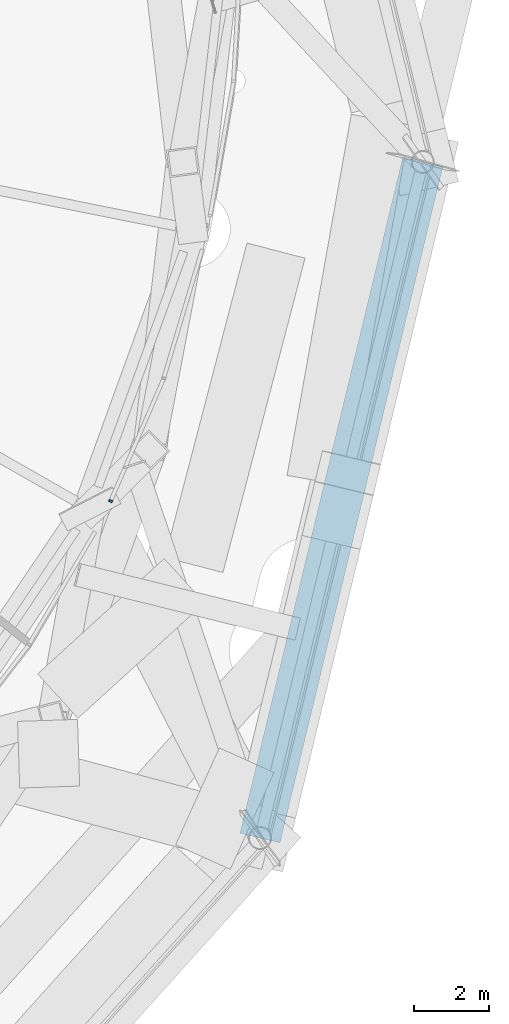
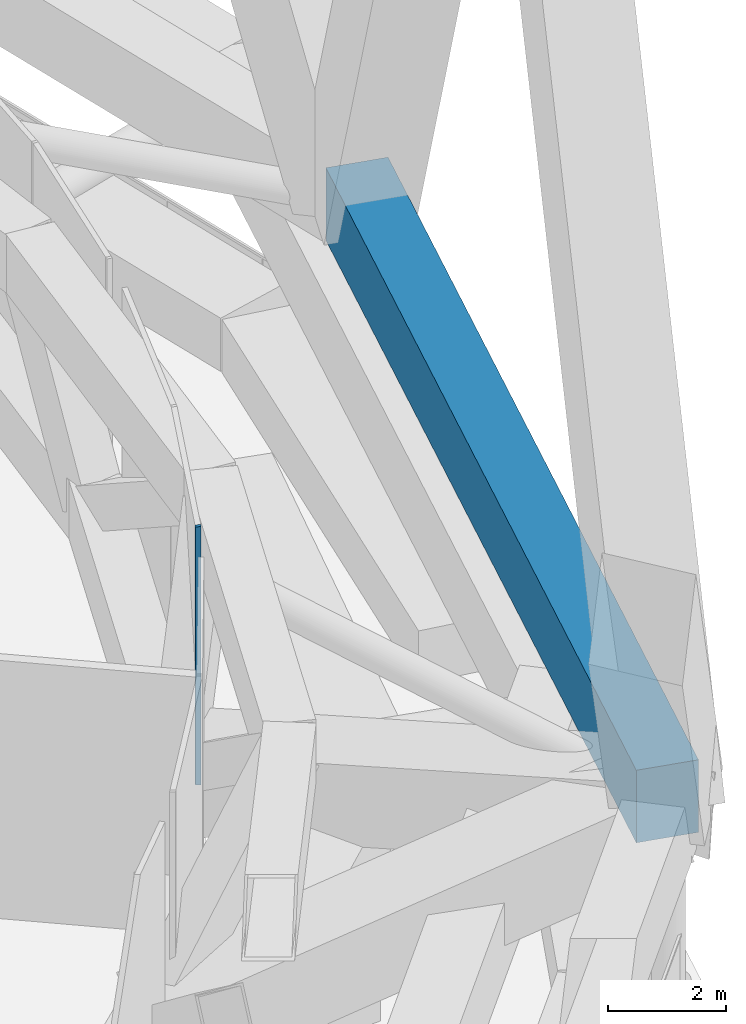
# One storey, part 12 of 65: 2 members, 1 element without a shape of its own.
"""IFC4 building model written with IfcOpenShell, lengths in metres."""

from ifc_helpers import new_model, si_unit, direction, frame, origin, origin_2d, place, context, subcontext, project, spatial, rectangle, extrude, material, layer, layer_set, material_profile, profile_set, type_object, element, aggregate, save


model = new_model("IFC4")

# Units and contexts
model_context = context("Model", 3, precision=1e-05, world=origin(), true_north=direction((0.0, 1.0)))
body_context = subcontext(model_context, "Body", "Model", "MODEL_VIEW")
ifc_project = project(units=[si_unit("LENGTHUNIT", "METRE"), si_unit("AREAUNIT", "SQUARE_METRE"), si_unit("VOLUMEUNIT", "CUBIC_METRE"), si_unit("PLANEANGLEUNIT", "RADIAN"), si_unit("MASSUNIT", "GRAM", prefix="KILO")], contexts=[model_context])

# Site, building, storey
site_placement = place(None, origin())
site = spatial("IfcSite", under=ifc_project, at=site_placement, CompositionType="ELEMENT")
building_placement = place(site_placement, origin())
building = spatial("IfcBuilding", under=site, at=building_placement, Name="Nagisa Residences", CompositionType="ELEMENT")
storey_placement = place(building_placement, frame((0.0, 0.0, 114.0)))
storey = spatial("IfcBuildingStorey", under=building, at=storey_placement, Name="L28", CompositionType="ELEMENT", Elevation=114.0)

# Curtain wall, member
ifc_material_1 = material(Name="Aluminium curtain wall system", Category="aluminium")
ifc_layer = layer(ifc_material_1, 0.159912109375)
ifc_layer_set = layer_set([ifc_layer], Name="CW5 CURTAIN WALL")
curtain_wall_type = type_object("IfcCurtainWallType", Name="CW5 CURTAIN WALL", PredefinedType="NOTDEFINED", material=ifc_layer_set)
curtain_wall_placement = place(storey_placement, origin())
curtain_wall = element("IfcCurtainWall", 1, at=curtain_wall_placement, inside=storey, type_object=curtain_wall_type, Name="cw:CW5:L28:44", PredefinedType="NOTDEFINED")
ifc_material_2 = material(Name="Aluminium", Category="aluminium")
ifc_material_profile_1 = material_profile(ifc_material_2, rectangle(XDim=0.10009765625, YDim=0.06005859375, at=origin_2d()), Name="CW5 MULLION 100x60")
ifc_profile_set_1 = profile_set([ifc_material_profile_1], Name="Aluminium")
member_type_1 = type_object("IfcMemberType", Name="CW5 MULLION 100x60", PredefinedType="MULLION", material=ifc_profile_set_1)
member_1_placement = place(storey_placement, frame((22.302001953125, -12.16748046875, 0.0), z_axis=(0.0, 0.0, 1.0), x_axis=(-0.917543276295, 0.397635934147, 0.0)))
member_1 = element("IfcMember", 2, at=member_1_placement, type_object=member_type_1, Name="CW5 mullion", PredefinedType="MULLION", context=body_context, shape_type="SweptSolid", body=[
    extrude(rectangle(XDim=0.10009765625, YDim=0.06005859375, at=origin_2d()), origin(), (0.0, 0.0, 1.0), 5.340087890625),
])
aggregate(curtain_wall, [member_1])

# Member
ifc_material_3 = material(Name="Concrete C80", Category="concrete")
ifc_material_profile_2 = material_profile(ifc_material_3, rectangle(XDim=1.10009765625, YDim=1.5, at=origin_2d()), Name="C80 1100x1500")
ifc_profile_set_2 = profile_set([ifc_material_profile_2], Name="Concrete C80")
member_type_2 = type_object("IfcMemberType", Name="Cage ring 3 C80 1100x1500", PredefinedType="CHORD", material=ifc_profile_set_2)
member_2_placement = place(storey_placement, frame((26.28955078125, -21.165283203125, 3.699951171875), z_axis=(0.234087679097, 0.972215489742, 0.0), x_axis=(-0.972215489742, 0.234087679097, 0.0)))
element("IfcMember", 3, at=member_2_placement, inside=storey, type_object=member_type_2, Name="beam:L28:cg3r012", PredefinedType="CHORD", context=body_context, shape_type="SweptSolid", body=[
    extrude(rectangle(XDim=1.10009765625, YDim=1.5, at=origin_2d()), origin(), (0.0, 0.0, 1.0), 18.5634765625),
])

save(model, "model.ifc")
